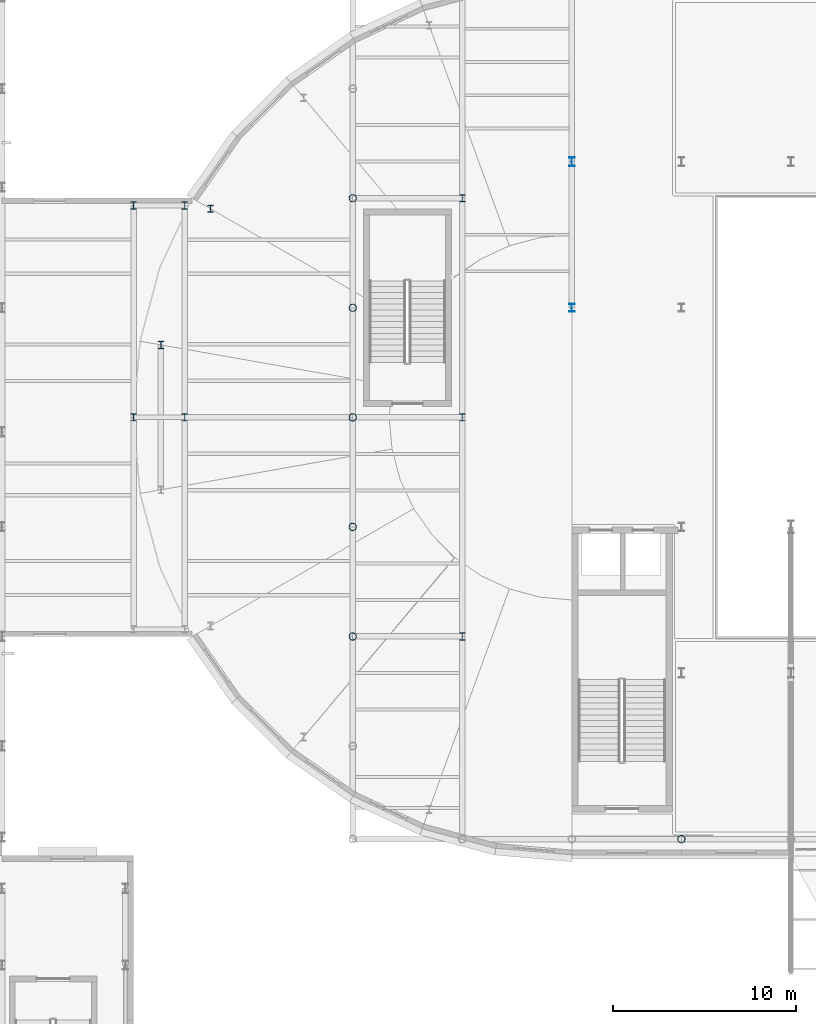
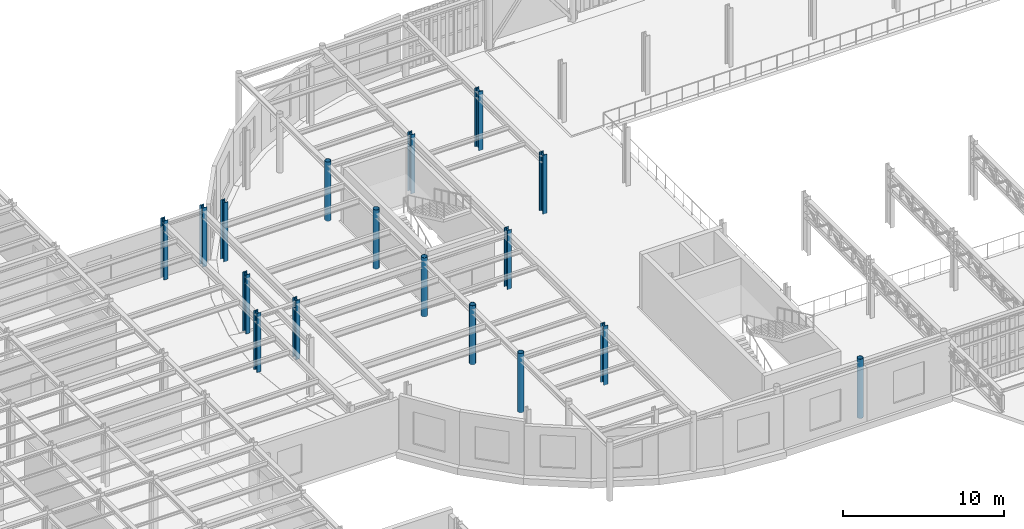
# One storey, part 4 of 91: 17 columns.
"""IFC4 building model written with IfcOpenShell, lengths in metres."""

from ifc_helpers import new_model, si_unit, direction, frame, origin, origin_2d, place, context, subcontext, project, spatial, hollow_circle, i_section, extrude, material, material_profile, profile_set, type_object, element, save


model = new_model("IFC4")

# Units and contexts
model_context = context("Model", 3, precision=1e-05, world=origin(), true_north=direction((0.0, 1.0)))
body_context = subcontext(model_context, "Body", "Model", "MODEL_VIEW")
ifc_project = project(units=[si_unit("LENGTHUNIT", "METRE"), si_unit("AREAUNIT", "SQUARE_METRE"), si_unit("VOLUMEUNIT", "CUBIC_METRE"), si_unit("PLANEANGLEUNIT", "RADIAN"), si_unit("MASSUNIT", "GRAM", prefix="KILO")], contexts=[model_context])

# Site, building, storey
site_placement = place(None, origin())
site = spatial("IfcSite", under=ifc_project, at=site_placement, CompositionType="ELEMENT")
building_placement = place(site_placement, origin())
building = spatial("IfcBuilding", under=site, at=building_placement, Name="Kolvaren Corner Interchange", CompositionType="ELEMENT")
storey_placement = place(building_placement, frame((0.0, 0.0, 6.0)))
storey = spatial("IfcBuildingStorey", under=building, at=storey_placement, Name="L02", CompositionType="ELEMENT", Elevation=6.0)

# Columns
ifc_material_1 = material(Name="Steel S355", Category="steel")
ifc_material_profile_1 = material_profile(ifc_material_1, hollow_circle(Radius=0.203125, WallThickness=0.01611328125, at=origin_2d()), Name="CHS 406.4x16.0")
ifc_profile_set_1 = profile_set([ifc_material_profile_1], Name="Steel S355")
column_type_1 = type_object("IfcColumnType", Name="COL-CHS406", PredefinedType="COLUMN", material=ifc_profile_set_1)
for number, where, z_axis, x_axis, name in (
    (1, (66.0, 24.89990234375, 0.0), (0.0, 0.0, 1.0), (1.0, 0.0, 0.0), "Storey L02 Structural Column 0485"),
    (2, (48.0, 36.0, 0.0), (0.0, 0.0, 1.0), (1.0, 0.0, 0.0), "Storey L02 Structural Column 0687"),
    (3, (48.0, 42.0, 0.0), (0.0, 0.0, 1.0), (1.0, 0.0, 0.0), "Storey L02 Structural Column 0691"),
    (4, (48.0, 48.0, 0.0), (0.0, 0.0, 1.0), (1.0, 0.0, 0.0), "Storey L02 Structural Column 0695"),
    (5, (48.0, 54.0, 0.0), (0.0, 0.0, 1.0), (1.0, 0.0, 0.0), "Storey L02 Structural Column 0699"),
    (6, (48.0, 60.0, 0.0), (0.0, 0.0, 1.0), (1.0, 0.0, 0.0), "Storey L02 Structural Column 0703"),
):
    element("IfcColumn", number, at=place(storey_placement, frame(where, z_axis=z_axis, x_axis=x_axis)), inside=storey, type_object=column_type_1, Name=name, PredefinedType="COLUMN", context=body_context, shape_type="SweptSolid", body=[
        extrude(hollow_circle(Radius=0.203125, WallThickness=0.01611328125, at=origin_2d()), origin(), (0.0, 0.0, 1.0), 4.5),
    ])
ifc_material_2 = material(Name="Steel S355", Category="steel")
ifc_material_profile_2 = material_profile(ifc_material_2, i_section(OverallWidth=0.300048828125, OverallDepth=0.39990234375, WebThickness=0.013427734375, FlangeThickness=0.02392578125, FilletRadius=0.027099609375, at=origin_2d()), Name="HEB 400")
ifc_profile_set_2 = profile_set([ifc_material_profile_2], Name="Steel S355")
column_type_2 = type_object("IfcColumnType", Name="COL-HEB400", PredefinedType="COLUMN", material=ifc_profile_set_2)
for number, where, z_axis, x_axis, name in (
    (7, (36.0, 48.0, 0.0), (0.0, 0.0, 1.0), (1.0, 0.0, 0.0), "Storey L02 Structural Column 0451"),
    (8, (36.0, 59.60009765625, 0.0), (0.0, 0.0, 1.0), (1.0, 0.0, 0.0), "Storey L02 Structural Column 0455"),
    (9, (38.800048828125, 48.0, 0.0), (0.0, 0.0, 1.0), (1.0, 0.0, 0.0), "Storey L02 Structural Column 0463"),
    (10, (38.800048828125, 59.60009765625, 0.0), (0.0, 0.0, 1.0), (1.0, 0.0, 0.0), "Storey L02 Structural Column 0467"),
    (11, (54.0, 36.0, 0.0), (0.0, 0.0, 1.0), (1.0, 0.0, 0.0), "Storey L02 Structural Column 0719"),
    (12, (54.0, 48.0, 0.0), (0.0, 0.0, 1.0), (1.0, 0.0, 0.0), "Storey L02 Structural Column 0722"),
    (13, (54.0, 60.0, 0.0), (0.0, 0.0, 1.0), (1.0, 0.0, 0.0), "Storey L02 Structural Column 0725"),
    (14, (40.2109375, 59.425048828125, 0.0), (0.0, 0.0, 1.0), (1.0, 0.0, 0.0), "Storey L02 Structural Column 0793"),
    (15, (37.4970703125, 51.968017578125, 0.0), (0.0, 0.0, 1.0), (1.0, 0.0, 0.0), "Storey L02 Structural Column 0797"),
):
    element("IfcColumn", number, at=place(storey_placement, frame(where, z_axis=z_axis, x_axis=x_axis)), inside=storey, type_object=column_type_2, Name=name, PredefinedType="COLUMN", context=body_context, shape_type="SweptSolid", body=[
        extrude(i_section(OverallWidth=0.300048828125, OverallDepth=0.39990234375, WebThickness=0.013427734375, FlangeThickness=0.02392578125, FilletRadius=0.027099609375, at=origin_2d()), origin(), (0.0, 0.0, 1.0), 4.5),
    ])
ifc_material_3 = material(Name="Steel S355", Category="steel")
ifc_material_profile_3 = material_profile(ifc_material_3, i_section(OverallWidth=0.300048828125, OverallDepth=0.449951171875, WebThickness=0.013916015625, FlangeThickness=0.02587890625, FilletRadius=0.027099609375, at=origin_2d()), Name="HEB 450")
ifc_profile_set_3 = profile_set([ifc_material_profile_3], Name="Steel S355")
column_type_3 = type_object("IfcColumnType", Name="COL-HEB450", PredefinedType="COLUMN", material=ifc_profile_set_3)
column_1_placement = place(storey_placement, frame((60.0, 54.0, 0.0), z_axis=(0.0, 0.0, 1.0), x_axis=(1.0, 0.0, 0.0)))
element("IfcColumn", 16, at=column_1_placement, inside=storey, type_object=column_type_3, Name="Storey L02 Structural Column 0475", PredefinedType="COLUMN", context=body_context, shape_type="SweptSolid", body=[
    extrude(i_section(OverallWidth=0.300048828125, OverallDepth=0.449951171875, WebThickness=0.013916015625, FlangeThickness=0.02587890625, FilletRadius=0.027099609375, at=origin_2d()), origin(), (0.0, 0.0, 1.0), 4.5),
])
ifc_material_4 = material(Name="Steel S355", Category="steel")
ifc_material_profile_4 = material_profile(ifc_material_4, i_section(OverallWidth=0.300048828125, OverallDepth=0.5, WebThickness=0.014404296875, FlangeThickness=0.028076171875, FilletRadius=0.027099609375, at=origin_2d()), Name="HEB 500")
ifc_profile_set_4 = profile_set([ifc_material_profile_4], Name="Steel S355")
column_type_4 = type_object("IfcColumnType", Name="COL-HEB500", PredefinedType="COLUMN", material=ifc_profile_set_4)
column_2_placement = place(storey_placement, frame((60.0, 62.0, 0.0), z_axis=(0.0, 0.0, 1.0), x_axis=(1.0, 0.0, 0.0)))
element("IfcColumn", 17, at=column_2_placement, inside=storey, type_object=column_type_4, Name="Storey L02 Structural Column 0478", PredefinedType="COLUMN", context=body_context, shape_type="SweptSolid", body=[
    extrude(i_section(OverallWidth=0.300048828125, OverallDepth=0.5, WebThickness=0.014404296875, FlangeThickness=0.028076171875, FilletRadius=0.027099609375, at=origin_2d()), origin(), (0.0, 0.0, 1.0), 4.5),
])

save(model, "model.ifc")
